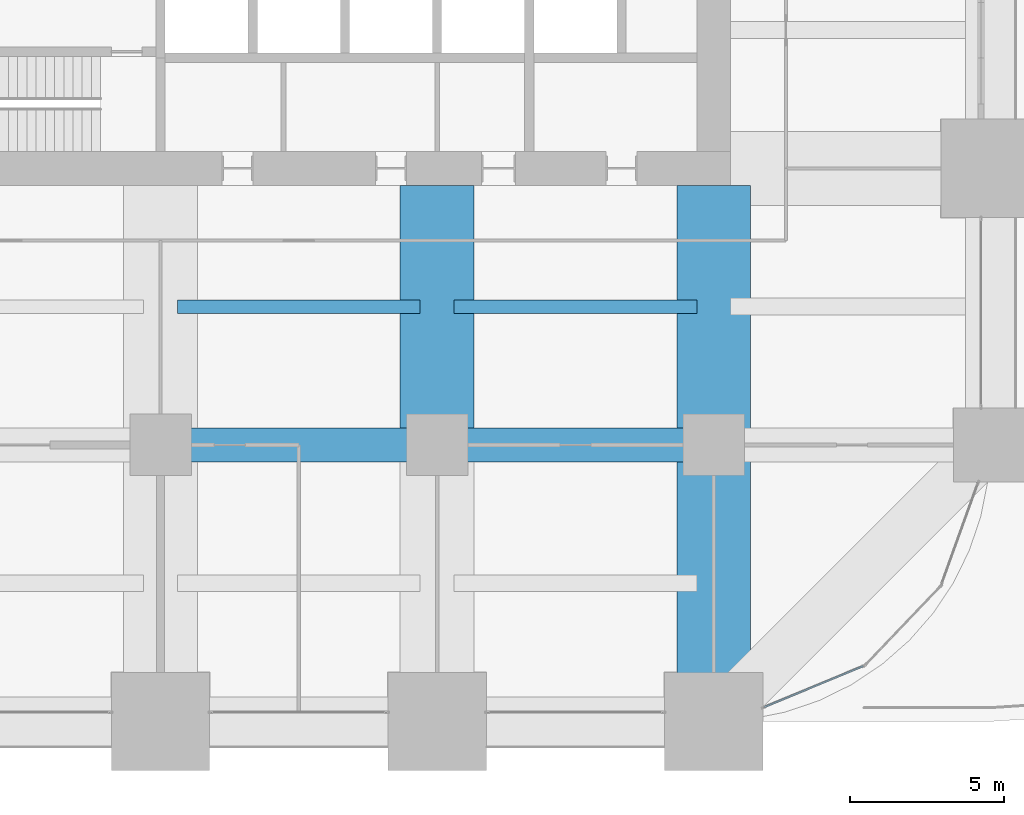
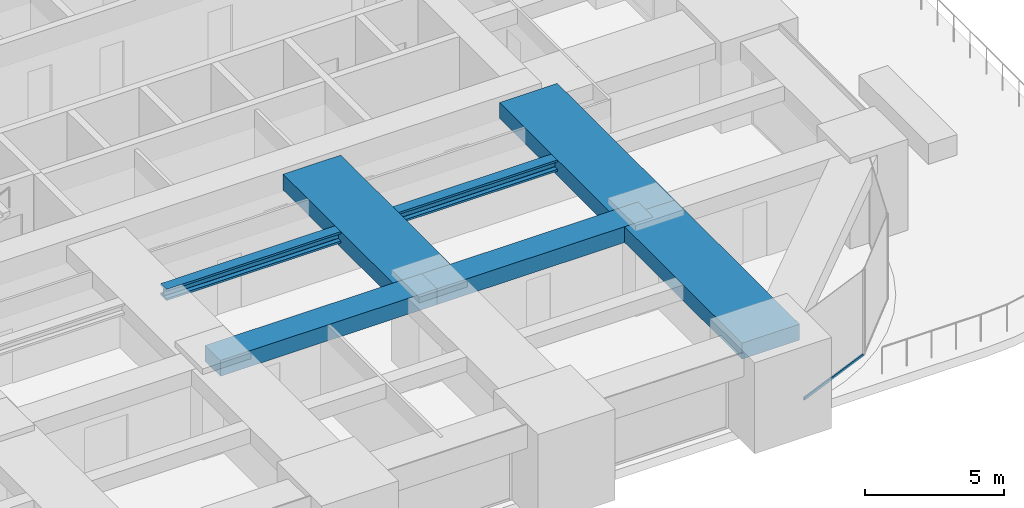
# One storey, part 16 of 35: 7 beams, 1 member, 1 element without a shape of its own.
"""IFC4 building model written with IfcOpenShell, lengths in metres."""

import ifcopenshell
import ifcopenshell.guid

model = None  # the IFC model being written
_history = None  # IfcOwnerHistory: only IFC2X3 demands one
_inside = {}  # id of a spatial element -> (the spatial element, [elements in it])
_under = {}  # id of a project, library or spatial element -> (it, [spatial elements below it])
_declared = {}  # id of a project -> (the project, [libraries it declares])
_typed = {}  # id of a type object -> (the type object, [elements of that type])
_made_of = {}  # id of a material, layer set ... -> (it, [elements and type objects made of it])


def new_model(schema):
    """Start an empty IFC model of exactly this schema.

    Asked for "IFC4X3", IfcOpenShell would pick the latest addendum, in which some entities
    have other attributes; the version numbers below select the first issue.
    IFC2X3 requires an IfcOwnerHistory on every rooted entity: one is made here for all.
    """
    global model, _history
    if schema == "IFC4X3":
        model = ifcopenshell.file(schema_version=(4, 3, 0, 0))
    else:
        model = ifcopenshell.file(schema=schema)
    _inside.clear()
    _under.clear()
    _declared.clear()
    _typed.clear()
    _made_of.clear()
    _history = None
    if model.schema == "IFC2X3":
        org = make("IfcOrganization", Name="unknown")
        user = make(
            "IfcPersonAndOrganization",
            ThePerson=make("IfcPerson", FamilyName="unknown"),
            TheOrganization=org,
        )
        app = make(
            "IfcApplication",
            ApplicationDeveloper=org,
            Version="unknown",
            ApplicationFullName="unknown",
            ApplicationIdentifier="unknown",
        )
        _history = make(
            "IfcOwnerHistory",
            OwningUser=user,
            OwningApplication=app,
            ChangeAction="ADDED",
            CreationDate=0,
        )
    return model


def make(cls, **values):
    """One entity of the class cls with the attributes given. An attribute that is None is left unset."""
    return model.create_entity(
        cls, **{name: value for name, value in values.items() if value is not None}
    )


def rooted(cls, **values):
    """An entity with a GlobalId (a new one), such as an element, a storey or a relation."""
    return make(cls, GlobalId=ifcopenshell.guid.new(), OwnerHistory=_history, **values)


def si_unit(unit_type, name, prefix=None):
    """IfcSIUnit, for example si_unit("LENGTHUNIT", "METRE", prefix="MILLI")."""
    return make("IfcSIUnit", UnitType=unit_type, Prefix=prefix, Name=name)


def assignment(units):
    """IfcUnitAssignment: the units of a project."""
    return None if units is None else make("IfcUnitAssignment", Units=units)


def point(xyz):
    """IfcCartesianPoint."""
    return None if xyz is None else make("IfcCartesianPoint", Coordinates=xyz)


def direction(xyz):
    """IfcDirection."""
    return None if xyz is None else make("IfcDirection", DirectionRatios=xyz)


def frame(location, z_axis=None, x_axis=None):
    """IfcAxis2Placement3D, a coordinate frame: its origin and axes. An axis left out is left unset."""
    return make(
        "IfcAxis2Placement3D",
        Location=point(location),
        Axis=direction(z_axis),
        RefDirection=direction(x_axis),
    )


def frame_2d(location, x_axis=None):
    """IfcAxis2Placement2D, a coordinate frame in the plane: its origin and x axis."""
    return make(
        "IfcAxis2Placement2D", Location=point(location), RefDirection=direction(x_axis)
    )


def origin():
    """The frame at (0, 0, 0) with its axes left unset."""
    return frame((0.0, 0.0, 0.0))


def origin_2d():
    """The frame at (0, 0) in the plane with its x axis left unset."""
    return frame_2d((0.0, 0.0))


def place(relative_to, where):
    """IfcLocalPlacement: puts the frame where relative to a parent placement (None: the world)."""
    return make(
        "IfcLocalPlacement", PlacementRelTo=relative_to, RelativePlacement=where
    )


def context(
    kind, dimensions, precision=None, world=None, true_north=None, identifier=None
):
    """IfcGeometricRepresentationContext, for example the 3D "Model" context."""
    return make(
        "IfcGeometricRepresentationContext",
        ContextIdentifier=identifier,
        ContextType=kind,
        CoordinateSpaceDimension=dimensions,
        Precision=precision,
        WorldCoordinateSystem=world,
        TrueNorth=true_north,
    )


def subcontext(parent, identifier, kind, view, scale=None):
    """IfcGeometricRepresentationSubContext, for example "Body" below "Model"."""
    return make(
        "IfcGeometricRepresentationSubContext",
        ContextIdentifier=identifier,
        ContextType=kind,
        ParentContext=parent,
        TargetScale=scale,
        TargetView=view,
    )


def project(units=None, contexts=None):
    """IfcProject with its units and contexts."""
    return rooted(
        "IfcProject",
        Name="project",
        RepresentationContexts=contexts,
        UnitsInContext=assignment(units),
    )


def spatial(cls, under=None, at=None, **own):
    """A site, building, storey or space (cls), placed at a placement, below another one or the project."""
    s = rooted(cls, ObjectPlacement=at, **own)
    if under is not None:
        _under.setdefault(under.id(), (under, []))[1].append(s)
    return s


def profile(cls, at=None, kind="AREA", **sizes):
    """A parametric profile (cls). Its sizes go by their IFC names, for example OverallWidth=200.0."""
    return make(cls, ProfileType=kind, Position=at, **sizes)


def rectangle(**sizes):
    """IfcRectangleProfileDef."""
    return profile("IfcRectangleProfileDef", **sizes)


def hollow_rectangle(**sizes):
    """IfcRectangleHollowProfileDef."""
    return profile("IfcRectangleHollowProfileDef", **sizes)


def i_section(**sizes):
    """IfcIShapeProfileDef."""
    return profile("IfcIShapeProfileDef", **sizes)


def extrude(swept, where, along, depth):
    """IfcExtrudedAreaSolid: the profile swept, set in the frame where, extruded along a direction by depth."""
    return make(
        "IfcExtrudedAreaSolid",
        SweptArea=swept,
        Position=where,
        ExtrudedDirection=direction(along),
        Depth=depth,
    )


def shape(context_of_items, identifier, shape_type, items):
    """IfcShapeRepresentation: the items that make up one representation, for example the "Body"."""
    return make(
        "IfcShapeRepresentation",
        ContextOfItems=context_of_items,
        RepresentationIdentifier=identifier,
        RepresentationType=shape_type,
        Items=items,
    )


def material(Name=None, Category=None):
    """IfcMaterial."""
    return make("IfcMaterial", Name=Name, Category=Category)


def material_profile(
    of_material, cross_section, Name=None, Category=None, Priority=None
):
    """IfcMaterialProfile: a cross section and its material."""
    return make(
        "IfcMaterialProfile",
        Name=Name,
        Material=of_material,
        Profile=cross_section,
        Priority=Priority,
        Category=Category,
    )


def profile_set(profiles, Name=None, composite=None):
    """IfcMaterialProfileSet."""
    return make(
        "IfcMaterialProfileSet",
        Name=Name,
        MaterialProfiles=profiles,
        CompositeProfile=composite,
    )


def made_of(thing, what):
    """Note that an element or type object is made of a material, layer set ...; save() writes the relation."""
    if what is not None:
        _made_of.setdefault(what.id(), (what, []))[1].append(thing)
    return thing


def type_object(cls, material=None, **own):
    """A type object (cls), such as IfcWallType, which elements share."""
    return made_of(rooted(cls, **own), material)


def element(
    cls,
    number,
    at=None,
    inside=None,
    cuts=None,
    type_object=None,
    material=None,
    context=None,
    identifier="Body",
    shape_type=None,
    held_by="IfcProductDefinitionShape",
    body=None,
    shapes=None,
    **own,
):
    """One element of the class cls, such as IfcWall. Its Tag is "e" and its number.

    at: its placement. inside: the storey or other place that contains it. cuts: it is an
    opening in that element (IfcRelVoidsElement). A single representation is given by context,
    identifier, shape_type and body (its items); several are given by shapes. held_by: the class
    of the entity that holds the representations. save() writes the other relations.
    """
    e = rooted(cls, Tag="e%d" % number, ObjectPlacement=at, **own)
    if body is not None:
        shapes = [shape(context, identifier, shape_type, body)]
    if shapes is not None:
        e.Representation = make(held_by, Representations=shapes)
    if inside is not None:
        _inside.setdefault(inside.id(), (inside, []))[1].append(e)
    if cuts is not None:
        rooted(
            "IfcRelVoidsElement", RelatingBuildingElement=cuts, RelatedOpeningElement=e
        )
    if type_object is not None:
        _typed.setdefault(type_object.id(), (type_object, []))[1].append(e)
    return made_of(e, material)


def aggregate(whole, parts):
    """IfcRelAggregates: a whole, such as a stair, and the parts it consists of."""
    return rooted("IfcRelAggregates", RelatingObject=whole, RelatedObjects=parts)


def save(model, path):
    """Write the relations noted so far, then the file.

    IfcRelAggregates (storeys below a building ...), IfcRelContainedInSpatialStructure (elements
    in a storey), IfcRelDefinesByType, IfcRelAssociatesMaterial and IfcRelDeclares: one each for
    every whole, place, type object, material and project.
    """
    for whole, parts in _under.values():
        aggregate(whole, parts)
    for where, things in _inside.values():
        rooted(
            "IfcRelContainedInSpatialStructure",
            RelatedElements=things,
            RelatingStructure=where,
        )
    for kind, things in _typed.values():
        rooted("IfcRelDefinesByType", RelatedObjects=things, RelatingType=kind)
    for what, things in _made_of.values():
        rooted("IfcRelAssociatesMaterial", RelatedObjects=things, RelatingMaterial=what)
    for by, libraries in _declared.values():
        rooted("IfcRelDeclares", RelatingContext=by, RelatedDefinitions=libraries)
    model.write(path)


model = new_model("IFC4")

# Units and contexts
model_context = context("Model", 3, precision=1e-05, world=origin(), true_north=direction((0.0, 1.0)))
body_context = subcontext(model_context, "Body", "Model", "MODEL_VIEW")
ifc_project = project(units=[si_unit("LENGTHUNIT", "METRE"), si_unit("AREAUNIT", "SQUARE_METRE"), si_unit("VOLUMEUNIT", "CUBIC_METRE"), si_unit("PLANEANGLEUNIT", "RADIAN"), si_unit("MASSUNIT", "GRAM", prefix="KILO")], contexts=[model_context])

# Site, building, storey
site_placement = place(None, origin())
site = spatial("IfcSite", under=ifc_project, at=site_placement, CompositionType="ELEMENT")
building_placement = place(site_placement, origin())
building = spatial("IfcBuilding", under=site, at=building_placement, Name="Zorevar Civic Tower", CompositionType="ELEMENT")
storey_placement = place(building_placement, frame((0.0, 0.0, 162.199951171875)))
storey = spatial("IfcBuildingStorey", under=building, at=storey_placement, Name="L39", CompositionType="ELEMENT", Elevation=162.199951171875)

# Beams
ifc_material_1 = material(Name="Concrete C50/60", Category="concrete")
ifc_material_profile_1 = material_profile(ifc_material_1, rectangle(XDim=1.10009765625, YDim=0.699951171875, at=origin_2d()), Name="RC 1100x700")
ifc_profile_set_1 = profile_set([ifc_material_profile_1], Name="Concrete C50/60")
beam_type_1 = type_object("IfcBeamType", Name="Beam RC 1100x700", PredefinedType="BEAM", material=ifc_profile_set_1)
for number, where, z_axis, x_axis, name in (
    (1, (27.0, 9.0, 3.400146484375), (1.0, 0.0, 0.0), (0.0, 1.0, 0.0), "Girder L40"),
    (2, (36.0, 9.0, 3.400146484375), (1.0, 0.0, 0.0), (0.0, 1.0, 0.0), "Girder L40"),
):
    element("IfcBeam", number, at=place(storey_placement, frame(where, z_axis=z_axis, x_axis=x_axis)), inside=storey, type_object=beam_type_1, Name=name, PredefinedType="BEAM", context=body_context, shape_type="SweptSolid", body=[
        extrude(rectangle(XDim=1.10009765625, YDim=0.699951171875, at=origin_2d()), origin(), (0.0, 0.0, 1.0), 9.0),
    ])
ifc_material_2 = material(Name="Concrete C50/60", Category="concrete")
ifc_material_profile_2 = material_profile(ifc_material_2, rectangle(XDim=2.39990234375, YDim=0.699951171875, at=origin_2d()), Name="RC 2400x700")
ifc_profile_set_2 = profile_set([ifc_material_profile_2], Name="Concrete C50/60")
beam_type_2 = type_object("IfcBeamType", Name="Beam RC 2400x700", PredefinedType="BEAM", material=ifc_profile_set_2)
beam_1_placement = place(storey_placement, frame((36.0, 9.0, 3.400146484375), z_axis=(0.0, 1.0, 0.0), x_axis=(-1.0, 0.0, 0.0)))
element("IfcBeam", 3, at=beam_1_placement, inside=storey, type_object=beam_type_2, Name="Girder L40", PredefinedType="BEAM", context=body_context, shape_type="SweptSolid", body=[
    extrude(rectangle(XDim=2.39990234375, YDim=0.699951171875, at=origin_2d()), origin(), (0.0, 0.0, 1.0), 8.449951171875),
])
beam_2_placement = place(storey_placement, frame((45.0, 0.0, 3.400146484375), z_axis=(0.0, 1.0, 0.0), x_axis=(-1.0, 0.0, 0.0)))
element("IfcBeam", 4, at=beam_2_placement, inside=storey, type_object=beam_type_2, Name="Girder L40", PredefinedType="BEAM", context=body_context, shape_type="SweptSolid", body=[
    extrude(rectangle(XDim=2.39990234375, YDim=0.699951171875, at=origin_2d()), origin(), (0.0, 0.0, 1.0), 9.0),
])
beam_3_placement = place(storey_placement, frame((45.0, 9.0, 3.400146484375), z_axis=(0.0, 1.0, 0.0), x_axis=(-1.0, 0.0, 0.0)))
element("IfcBeam", 5, at=beam_3_placement, inside=storey, type_object=beam_type_2, Name="Girder L40", PredefinedType="BEAM", context=body_context, shape_type="SweptSolid", body=[
    extrude(rectangle(XDim=2.39990234375, YDim=0.699951171875, at=origin_2d()), origin(), (0.0, 0.0, 1.0), 8.449951171875),
])

# Curtain wall, member
ifc_material_3 = material(Name="Dark grey solar-control glass in black aluminium frame", Category="aluminium")
curtain_wall_type = type_object("IfcCurtainWallType", Name="Curtain wall CW4 high zone", PredefinedType="NOTDEFINED", material=ifc_material_3)
curtain_wall_placement = place(storey_placement, origin())
curtain_wall = element("IfcCurtainWall", 6, at=curtain_wall_placement, inside=storey, type_object=curtain_wall_type, Name="CW4 L39", PredefinedType="NOTDEFINED")
ifc_material_4 = material(Name="Aluminium, black anodised", Category="aluminium")
ifc_material_profile_3 = material_profile(ifc_material_4, hollow_rectangle(XDim=0.06005859375, YDim=0.1201171875, WallThickness=0.0029296875, at=origin_2d()), Name="AL 120x60x3")
ifc_profile_set_3 = profile_set([ifc_material_profile_3], Name="Aluminium, black anodised")
member_type = type_object("IfcMemberType", Name="CW4 transom AL 120x60x3", PredefinedType="USERDEFINED", material=ifc_profile_set_3)
member_placement = place(storey_placement, frame((46.655517578125, 0.471435546875, 0.030029296875), z_axis=(0.923807642827, 0.382856943328, 0.0), x_axis=(-0.382856943328, 0.923807642827, 0.0)))
member = element("IfcMember", 7, at=member_placement, type_object=member_type, Name="CW4 sill transom", ObjectType="TRANSOM", PredefinedType="USERDEFINED", context=body_context, shape_type="SweptSolid", body=[
    extrude(hollow_rectangle(XDim=0.06005859375, YDim=0.1201171875, WallThickness=0.0029296875, at=origin_2d()), origin(), (0.0, 0.0, 1.0), 3.471435546875),
])
aggregate(curtain_wall, [member])

# Beams
ifc_material_5 = material(Name="Steel S460M (HISTAR 460)", Category="steel")
ifc_material_profile_4 = material_profile(ifc_material_5, i_section(OverallWidth=0.431884765625, OverallDepth=0.498046875, WebThickness=0.0556640625, FlangeThickness=0.0888671875, FilletRadius=0.014892578125, at=origin_2d()), Name="HD 400x744")
ifc_profile_set_4 = profile_set([ifc_material_profile_4], Name="Steel S460M (HISTAR 460)")
beam_type_3 = type_object("IfcBeamType", Name="Core bay beam HD 400x744", PredefinedType="BEAM", material=ifc_profile_set_4)
for number, where, z_axis, x_axis, name in (
    (8, (27.550048828125, 13.5, 3.5009765625), (1.0, 0.0, 0.0), (0.0, 1.0, 0.0), "Secondary beam L40"),
    (9, (36.550048828125, 13.5, 3.5009765625), (1.0, 0.0, 0.0), (0.0, 1.0, 0.0), "Secondary beam L40"),
):
    element("IfcBeam", number, at=place(storey_placement, frame(where, z_axis=z_axis, x_axis=x_axis)), inside=storey, type_object=beam_type_3, Name=name, PredefinedType="BEAM", context=body_context, shape_type="SweptSolid", body=[
        extrude(i_section(OverallWidth=0.431884765625, OverallDepth=0.498046875, WebThickness=0.0556640625, FlangeThickness=0.0888671875, FilletRadius=0.014892578125, at=origin_2d()), origin(), (0.0, 0.0, 1.0), 7.89990234375),
    ])

save(model, "model.ifc")
